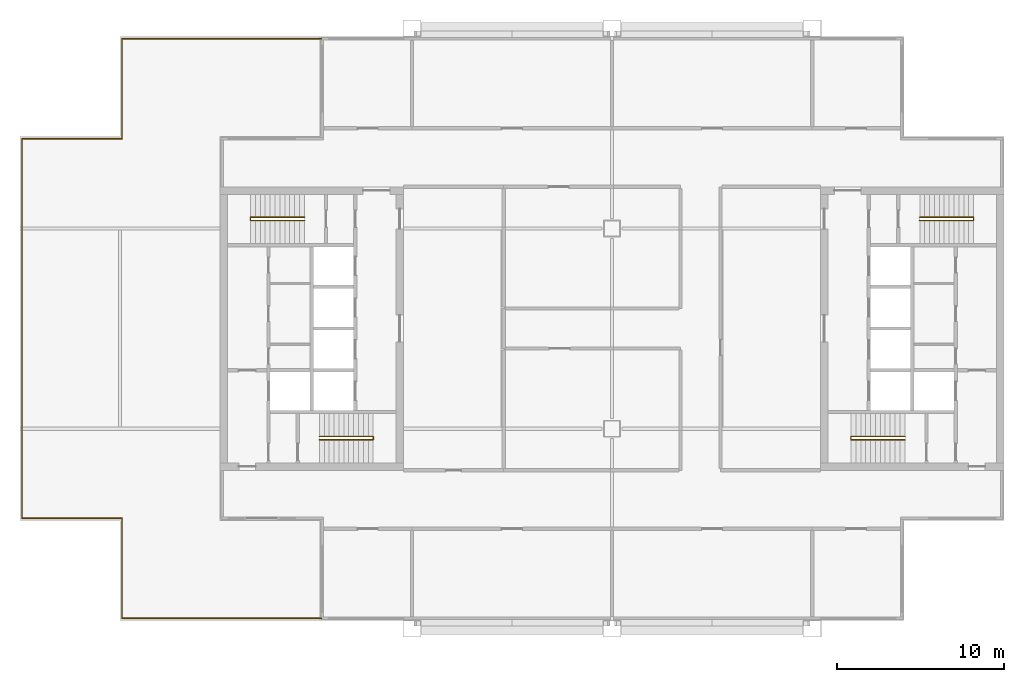
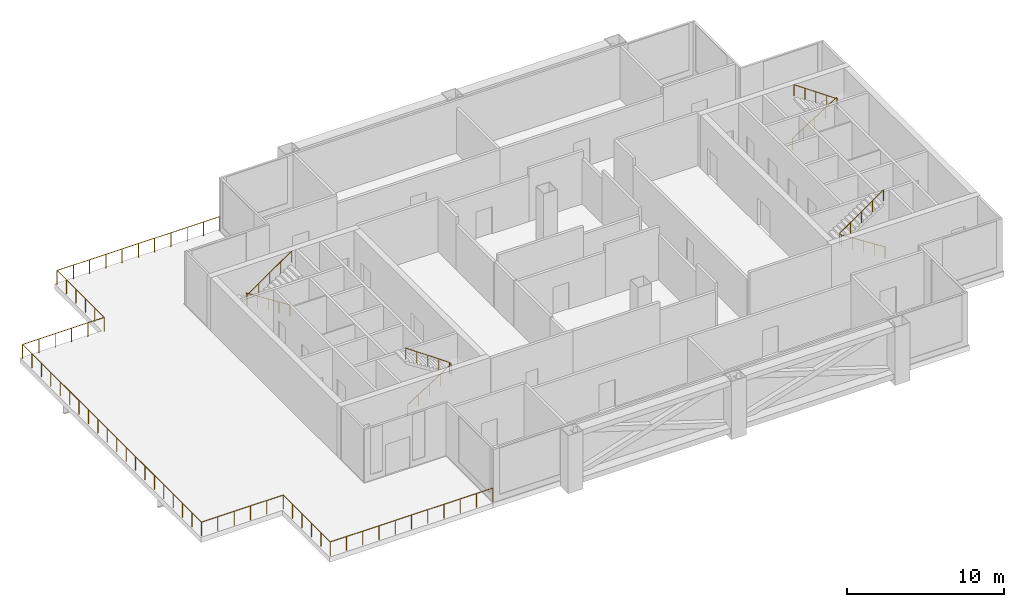
# One storey, part 6 of 6: 5 railings.
"""IFC4 building model written with IfcOpenShell, lengths in metres."""

from ifc_helpers import new_model, si_unit, direction, frame, origin, origin_2d, place, context, subcontext, project, spatial, circle, extrude, material, type_object, element, save


model = new_model("IFC4")

# Units and contexts
model_context = context("Model", 3, precision=1e-05, world=origin(), true_north=direction((0.0, 1.0)))
body_context = subcontext(model_context, "Body", "Model", "MODEL_VIEW")
ifc_project = project(units=[si_unit("LENGTHUNIT", "METRE"), si_unit("AREAUNIT", "SQUARE_METRE"), si_unit("VOLUMEUNIT", "CUBIC_METRE"), si_unit("PLANEANGLEUNIT", "RADIAN"), si_unit("MASSUNIT", "GRAM", prefix="KILO")], contexts=[model_context])

# Site, building, storey
site_placement = place(None, origin())
site = spatial("IfcSite", under=ifc_project, at=site_placement, CompositionType="ELEMENT")
building_placement = place(site_placement, origin())
building = spatial("IfcBuilding", under=site, at=building_placement, Name="Kitamizu Gate Tower and Museum", CompositionType="ELEMENT")
storey_placement = place(building_placement, frame((0.0, 0.0, 213.449951171875)))
storey = spatial("IfcBuildingStorey", under=building, at=storey_placement, Name="L57", CompositionType="ELEMENT", Elevation=213.449951171875)

# Railings
ifc_material_1 = material(Name="Stainless steel SUS304 with toughened glass infill", Category="steel")
railing_type_1 = type_object("IfcRailingType", Name="GUARD 1100", PredefinedType="GUARDRAIL", material=ifc_material_1)
railing_1_placement = place(storey_placement, frame((18.56005859375, 12.6201171875, 0.0)))
element("IfcRailing", 1, at=railing_1_placement, inside=storey, type_object=railing_type_1, Name="Guard L57 terrace 1", PredefinedType="GUARDRAIL", context=body_context, shape_type="SweptSolid", body=[
    extrude(circle(Radius=0.02490234375, at=origin_2d()), frame((0.0, 0.0, 1.0751953125), z_axis=(-1.0, 0.0, 0.0), x_axis=(0.0, -1.0, 0.0)), (0.0, 0.0, 1.0), 11.93994140625),
    extrude(circle(Radius=0.02490234375, at=origin_2d()), frame((-11.93994140625, 0.0, 1.0751953125), z_axis=(0.0, 1.0, 0.0), x_axis=(-1.0, 0.0, 0.0)), (0.0, 0.0, 1.0), 6.0),
    extrude(circle(Radius=0.02490234375, at=origin_2d()), frame((-11.93994140625, 6.0, 1.0751953125), z_axis=(-1.0, 0.0, 0.0), x_axis=(0.0, -1.0, 0.0)), (0.0, 0.0, 1.0), 6.0),
    extrude(circle(Radius=0.02490234375, at=origin_2d()), frame((-17.93994140625, 6.0, 1.0751953125), z_axis=(0.0, 1.0, 0.0), x_axis=(-1.0, 0.0, 0.0)), (0.0, 0.0, 1.0), 22.759765625),
    extrude(circle(Radius=0.02490234375, at=origin_2d()), frame((-17.93994140625, 28.759765625, 1.0751953125), z_axis=(1.0, 0.0, 0.0), x_axis=(0.0, 1.0, 0.0)), (0.0, 0.0, 1.0), 6.0),
    extrude(circle(Radius=0.02490234375, at=origin_2d()), frame((-11.93994140625, 28.759765625, 1.0751953125), z_axis=(0.0, 1.0, 0.0), x_axis=(-1.0, 0.0, 0.0)), (0.0, 0.0, 1.0), 6.0),
    extrude(circle(Radius=0.02490234375, at=origin_2d()), frame((-11.93994140625, 34.759765625, 1.0751953125), z_axis=(1.0, 0.0, 0.0), x_axis=(0.0, 1.0, 0.0)), (0.0, 0.0, 1.0), 11.93994140625),
    extrude(circle(Radius=0.02490234375, at=origin_2d()), origin(), (0.0, 0.0, 1.0), 1.050048828125),
    extrude(circle(Radius=0.02490234375, at=origin_2d()), frame((-1.194091796875, 0.0, 0.0)), (0.0, 0.0, 1.0), 1.050048828125),
    extrude(circle(Radius=0.02490234375, at=origin_2d()), frame((-2.387939453125, 0.0, 0.0)), (0.0, 0.0, 1.0), 1.050048828125),
    extrude(circle(Radius=0.02490234375, at=origin_2d()), frame((-3.58203125, 0.0, 0.0)), (0.0, 0.0, 1.0), 1.050048828125),
    extrude(circle(Radius=0.02490234375, at=origin_2d()), frame((-4.77587890625, 0.0, 0.0)), (0.0, 0.0, 1.0), 1.050048828125),
    extrude(circle(Radius=0.02490234375, at=origin_2d()), frame((-5.969970703125, 0.0, 0.0)), (0.0, 0.0, 1.0), 1.050048828125),
    extrude(circle(Radius=0.02490234375, at=origin_2d()), frame((-7.1640625, 0.0, 0.0)), (0.0, 0.0, 1.0), 1.050048828125),
    extrude(circle(Radius=0.02490234375, at=origin_2d()), frame((-8.35791015625, 0.0, 0.0)), (0.0, 0.0, 1.0), 1.050048828125),
    extrude(circle(Radius=0.02490234375, at=origin_2d()), frame((-9.552001953125, 0.0, 0.0)), (0.0, 0.0, 1.0), 1.050048828125),
    extrude(circle(Radius=0.02490234375, at=origin_2d()), frame((-10.745849609375, 0.0, 0.0)), (0.0, 0.0, 1.0), 1.050048828125),
    extrude(circle(Radius=0.02490234375, at=origin_2d()), frame((-11.93994140625, 0.0, 0.0)), (0.0, 0.0, 1.0), 1.050048828125),
    extrude(circle(Radius=0.02490234375, at=origin_2d()), frame((-11.93994140625, 1.199951171875, 0.0)), (0.0, 0.0, 1.0), 1.050048828125),
    extrude(circle(Radius=0.02490234375, at=origin_2d()), frame((-11.93994140625, 2.39990234375, 0.0)), (0.0, 0.0, 1.0), 1.050048828125),
    extrude(circle(Radius=0.02490234375, at=origin_2d()), frame((-11.93994140625, 3.60009765625, 0.0)), (0.0, 0.0, 1.0), 1.050048828125),
    extrude(circle(Radius=0.02490234375, at=origin_2d()), frame((-11.93994140625, 4.800048828125, 0.0)), (0.0, 0.0, 1.0), 1.050048828125),
    extrude(circle(Radius=0.02490234375, at=origin_2d()), frame((-11.93994140625, 6.0, 0.0)), (0.0, 0.0, 1.0), 1.050048828125),
    extrude(circle(Radius=0.02490234375, at=origin_2d()), frame((-13.139892578125, 6.0, 0.0)), (0.0, 0.0, 1.0), 1.050048828125),
    extrude(circle(Radius=0.02490234375, at=origin_2d()), frame((-14.33984375, 6.0, 0.0)), (0.0, 0.0, 1.0), 1.050048828125),
    extrude(circle(Radius=0.02490234375, at=origin_2d()), frame((-15.5400390625, 6.0, 0.0)), (0.0, 0.0, 1.0), 1.050048828125),
    extrude(circle(Radius=0.02490234375, at=origin_2d()), frame((-16.739990234375, 6.0, 0.0)), (0.0, 0.0, 1.0), 1.050048828125),
    extrude(circle(Radius=0.02490234375, at=origin_2d()), frame((-17.93994140625, 6.0, 0.0)), (0.0, 0.0, 1.0), 1.050048828125),
    extrude(circle(Radius=0.02490234375, at=origin_2d()), frame((-17.93994140625, 7.197998046875, 0.0)), (0.0, 0.0, 1.0), 1.050048828125),
    extrude(circle(Radius=0.02490234375, at=origin_2d()), frame((-17.93994140625, 8.395751953125, 0.0)), (0.0, 0.0, 1.0), 1.050048828125),
    extrude(circle(Radius=0.02490234375, at=origin_2d()), frame((-17.93994140625, 9.59375, 0.0)), (0.0, 0.0, 1.0), 1.050048828125),
    extrude(circle(Radius=0.02490234375, at=origin_2d()), frame((-17.93994140625, 10.79150390625, 0.0)), (0.0, 0.0, 1.0), 1.050048828125),
    extrude(circle(Radius=0.02490234375, at=origin_2d()), frame((-17.93994140625, 11.989501953125, 0.0)), (0.0, 0.0, 1.0), 1.050048828125),
    extrude(circle(Radius=0.02490234375, at=origin_2d()), frame((-17.93994140625, 13.187255859375, 0.0)), (0.0, 0.0, 1.0), 1.050048828125),
    extrude(circle(Radius=0.02490234375, at=origin_2d()), frame((-17.93994140625, 14.38525390625, 0.0)), (0.0, 0.0, 1.0), 1.050048828125),
    extrude(circle(Radius=0.02490234375, at=origin_2d()), frame((-17.93994140625, 15.5830078125, 0.0)), (0.0, 0.0, 1.0), 1.050048828125),
    extrude(circle(Radius=0.02490234375, at=origin_2d()), frame((-17.93994140625, 16.781005859375, 0.0)), (0.0, 0.0, 1.0), 1.050048828125),
    extrude(circle(Radius=0.02490234375, at=origin_2d()), frame((-17.93994140625, 17.978759765625, 0.0)), (0.0, 0.0, 1.0), 1.050048828125),
    extrude(circle(Radius=0.02490234375, at=origin_2d()), frame((-17.93994140625, 19.1767578125, 0.0)), (0.0, 0.0, 1.0), 1.050048828125),
    extrude(circle(Radius=0.02490234375, at=origin_2d()), frame((-17.93994140625, 20.37451171875, 0.0)), (0.0, 0.0, 1.0), 1.050048828125),
    extrude(circle(Radius=0.02490234375, at=origin_2d()), frame((-17.93994140625, 21.572509765625, 0.0)), (0.0, 0.0, 1.0), 1.050048828125),
    extrude(circle(Radius=0.02490234375, at=origin_2d()), frame((-17.93994140625, 22.770263671875, 0.0)), (0.0, 0.0, 1.0), 1.050048828125),
    extrude(circle(Radius=0.02490234375, at=origin_2d()), frame((-17.93994140625, 23.96826171875, 0.0)), (0.0, 0.0, 1.0), 1.050048828125),
    extrude(circle(Radius=0.02490234375, at=origin_2d()), frame((-17.93994140625, 25.166015625, 0.0)), (0.0, 0.0, 1.0), 1.050048828125),
    extrude(circle(Radius=0.02490234375, at=origin_2d()), frame((-17.93994140625, 26.364013671875, 0.0)), (0.0, 0.0, 1.0), 1.050048828125),
    extrude(circle(Radius=0.02490234375, at=origin_2d()), frame((-17.93994140625, 27.561767578125, 0.0)), (0.0, 0.0, 1.0), 1.050048828125),
    extrude(circle(Radius=0.02490234375, at=origin_2d()), frame((-17.93994140625, 28.759765625, 0.0)), (0.0, 0.0, 1.0), 1.050048828125),
    extrude(circle(Radius=0.02490234375, at=origin_2d()), frame((-16.739990234375, 28.759765625, 0.0)), (0.0, 0.0, 1.0), 1.050048828125),
    extrude(circle(Radius=0.02490234375, at=origin_2d()), frame((-15.5400390625, 28.759765625, 0.0)), (0.0, 0.0, 1.0), 1.050048828125),
    extrude(circle(Radius=0.02490234375, at=origin_2d()), frame((-14.33984375, 28.759765625, 0.0)), (0.0, 0.0, 1.0), 1.050048828125),
    extrude(circle(Radius=0.02490234375, at=origin_2d()), frame((-13.139892578125, 28.759765625, 0.0)), (0.0, 0.0, 1.0), 1.050048828125),
    extrude(circle(Radius=0.02490234375, at=origin_2d()), frame((-11.93994140625, 28.759765625, 0.0)), (0.0, 0.0, 1.0), 1.050048828125),
    extrude(circle(Radius=0.02490234375, at=origin_2d()), frame((-11.93994140625, 29.959716796875, 0.0)), (0.0, 0.0, 1.0), 1.050048828125),
    extrude(circle(Radius=0.02490234375, at=origin_2d()), frame((-11.93994140625, 31.15966796875, 0.0)), (0.0, 0.0, 1.0), 1.050048828125),
    extrude(circle(Radius=0.02490234375, at=origin_2d()), frame((-11.93994140625, 32.35986328125, 0.0)), (0.0, 0.0, 1.0), 1.050048828125),
    extrude(circle(Radius=0.02490234375, at=origin_2d()), frame((-11.93994140625, 33.559814453125, 0.0)), (0.0, 0.0, 1.0), 1.050048828125),
    extrude(circle(Radius=0.02490234375, at=origin_2d()), frame((-11.93994140625, 34.759765625, 0.0)), (0.0, 0.0, 1.0), 1.050048828125),
    extrude(circle(Radius=0.02490234375, at=origin_2d()), frame((-10.745849609375, 34.759765625, 0.0)), (0.0, 0.0, 1.0), 1.050048828125),
    extrude(circle(Radius=0.02490234375, at=origin_2d()), frame((-9.552001953125, 34.759765625, 0.0)), (0.0, 0.0, 1.0), 1.050048828125),
    extrude(circle(Radius=0.02490234375, at=origin_2d()), frame((-8.35791015625, 34.759765625, 0.0)), (0.0, 0.0, 1.0), 1.050048828125),
    extrude(circle(Radius=0.02490234375, at=origin_2d()), frame((-7.1640625, 34.759765625, 0.0)), (0.0, 0.0, 1.0), 1.050048828125),
    extrude(circle(Radius=0.02490234375, at=origin_2d()), frame((-5.969970703125, 34.759765625, 0.0)), (0.0, 0.0, 1.0), 1.050048828125),
    extrude(circle(Radius=0.02490234375, at=origin_2d()), frame((-4.77587890625, 34.759765625, 0.0)), (0.0, 0.0, 1.0), 1.050048828125),
    extrude(circle(Radius=0.02490234375, at=origin_2d()), frame((-3.58203125, 34.759765625, 0.0)), (0.0, 0.0, 1.0), 1.050048828125),
    extrude(circle(Radius=0.02490234375, at=origin_2d()), frame((-2.387939453125, 34.759765625, 0.0)), (0.0, 0.0, 1.0), 1.050048828125),
    extrude(circle(Radius=0.02490234375, at=origin_2d()), frame((-1.194091796875, 34.759765625, 0.0)), (0.0, 0.0, 1.0), 1.050048828125),
    extrude(circle(Radius=0.02490234375, at=origin_2d()), frame((0.0, 34.759765625, 0.0)), (0.0, 0.0, 1.0), 1.050048828125),
])
ifc_material_2 = material(Name="Stainless steel SUS304", Category="steel")
railing_type_2 = type_object("IfcRailingType", Name="Stair handrail 900", PredefinedType="HANDRAIL", material=ifc_material_2)
railing_2_placement = place(storey_placement, frame((18.449951171875, 23.324951171875, 0.1875)))
element("IfcRailing", 2, at=railing_2_placement, inside=storey, type_object=railing_type_2, Name="Stair handrail ST1", PredefinedType="HANDRAIL", context=body_context, shape_type="SweptSolid", body=[
    extrude(circle(Radius=0.02392578125, at=origin_2d()), frame((0.0, 0.0, 0.8759765625), z_axis=(0.842456665138, 0.0, 0.538764111059), x_axis=(0.0, 1.0, 0.0)), (0.0, 0.0, 1.0), 3.828125),
    extrude(circle(Radius=0.02392578125, at=origin_2d()), frame((3.22509765625, 0.0, 2.9384765625), z_axis=(0.0, 1.0, 0.0), x_axis=(-1.0, 0.0, 0.0)), (0.0, 0.0, 1.0), 0.199951171875),
    extrude(circle(Radius=0.02392578125, at=origin_2d()), frame((3.22509765625, 0.199951171875, 2.9384765625), z_axis=(-0.820135084589, 0.0, 0.572169942435), x_axis=(0.0, -1.0, 0.0)), (0.0, 0.0, 1.0), 3.932373046875),
    extrude(circle(Radius=0.02099609375, at=origin_2d()), origin(), (0.0, 0.0, 1.0), 0.851806640625),
    extrude(circle(Radius=0.02099609375, at=origin_2d()), frame((0.80615234375, 0.0, 0.515625)), (0.0, 0.0, 1.0), 0.851806640625),
    extrude(circle(Radius=0.02099609375, at=origin_2d()), frame((1.612548828125, 0.0, 1.03125)), (0.0, 0.0, 1.0), 0.851806640625),
    extrude(circle(Radius=0.02099609375, at=origin_2d()), frame((2.4189453125, 0.0, 1.546875)), (0.0, 0.0, 1.0), 0.851806640625),
    extrude(circle(Radius=0.02099609375, at=origin_2d()), frame((3.22509765625, 0.0, 2.0625)), (0.0, 0.0, 1.0), 0.851806640625),
    extrude(circle(Radius=0.02099609375, at=origin_2d()), frame((3.22509765625, 0.199951171875, 2.0625)), (0.0, 0.0, 1.0), 0.851806640625),
    extrude(circle(Radius=0.02099609375, at=origin_2d()), frame((2.4189453125, 0.199951171875, 2.625)), (0.0, 0.0, 1.0), 0.851806640625),
    extrude(circle(Radius=0.02099609375, at=origin_2d()), frame((1.612548828125, 0.199951171875, 3.1875)), (0.0, 0.0, 1.0), 0.851806640625),
    extrude(circle(Radius=0.02099609375, at=origin_2d()), frame((0.80615234375, 0.199951171875, 3.75)), (0.0, 0.0, 1.0), 0.851806640625),
    extrude(circle(Radius=0.02099609375, at=origin_2d()), frame((0.0, 0.199951171875, 4.3125)), (0.0, 0.0, 1.0), 0.851806640625),
])
railing_3_placement = place(storey_placement, frame((17.550048828125, 36.675048828125, 0.1875)))
element("IfcRailing", 3, at=railing_3_placement, inside=storey, type_object=railing_type_2, Name="Stair handrail ST2", PredefinedType="HANDRAIL", context=body_context, shape_type="SweptSolid", body=[
    extrude(circle(Radius=0.02392578125, at=origin_2d()), frame((0.0, 0.0, 0.8759765625), z_axis=(-0.842456665138, 0.0, 0.538764111059), x_axis=(0.0, -1.0, 0.0)), (0.0, 0.0, 1.0), 3.828125),
    extrude(circle(Radius=0.02392578125, at=origin_2d()), frame((-3.22509765625, 0.0, 2.9384765625), z_axis=(0.0, -1.0, 0.0), x_axis=(1.0, 0.0, 0.0)), (0.0, 0.0, 1.0), 0.199951171875),
    extrude(circle(Radius=0.02392578125, at=origin_2d()), frame((-3.22509765625, -0.199951171875, 2.9384765625), z_axis=(0.820135084589, 0.0, 0.572169942435), x_axis=(0.0, 1.0, 0.0)), (0.0, 0.0, 1.0), 3.932373046875),
    extrude(circle(Radius=0.02099609375, at=origin_2d()), origin(), (0.0, 0.0, 1.0), 0.851806640625),
    extrude(circle(Radius=0.02099609375, at=origin_2d()), frame((-0.80615234375, 0.0, 0.515625)), (0.0, 0.0, 1.0), 0.851806640625),
    extrude(circle(Radius=0.02099609375, at=origin_2d()), frame((-1.612548828125, 0.0, 1.03125)), (0.0, 0.0, 1.0), 0.851806640625),
    extrude(circle(Radius=0.02099609375, at=origin_2d()), frame((-2.4189453125, 0.0, 1.546875)), (0.0, 0.0, 1.0), 0.851806640625),
    extrude(circle(Radius=0.02099609375, at=origin_2d()), frame((-3.22509765625, 0.0, 2.0625)), (0.0, 0.0, 1.0), 0.851806640625),
    extrude(circle(Radius=0.02099609375, at=origin_2d()), frame((-3.22509765625, -0.199951171875, 2.0625)), (0.0, 0.0, 1.0), 0.851806640625),
    extrude(circle(Radius=0.02099609375, at=origin_2d()), frame((-2.4189453125, -0.199951171875, 2.625)), (0.0, 0.0, 1.0), 0.851806640625),
    extrude(circle(Radius=0.02099609375, at=origin_2d()), frame((-1.612548828125, -0.199951171875, 3.1875)), (0.0, 0.0, 1.0), 0.851806640625),
    extrude(circle(Radius=0.02099609375, at=origin_2d()), frame((-0.80615234375, -0.199951171875, 3.75)), (0.0, 0.0, 1.0), 0.851806640625),
    extrude(circle(Radius=0.02099609375, at=origin_2d()), frame((0.0, -0.199951171875, 4.3125)), (0.0, 0.0, 1.0), 0.851806640625),
])
railing_4_placement = place(storey_placement, frame((53.550048828125, 23.324951171875, 0.1875)))
element("IfcRailing", 4, at=railing_4_placement, inside=storey, type_object=railing_type_2, Name="Stair handrail ST3", PredefinedType="HANDRAIL", context=body_context, shape_type="SweptSolid", body=[
    extrude(circle(Radius=0.02392578125, at=origin_2d()), frame((0.0, 0.0, 0.8759765625), z_axis=(-0.842456665138, 0.0, 0.538764111059), x_axis=(0.0, -1.0, 0.0)), (0.0, 0.0, 1.0), 3.828125),
    extrude(circle(Radius=0.02392578125, at=origin_2d()), frame((-3.22509765625, 0.0, 2.9384765625), z_axis=(0.0, 1.0, 0.0), x_axis=(-1.0, 0.0, 0.0)), (0.0, 0.0, 1.0), 0.199951171875),
    extrude(circle(Radius=0.02392578125, at=origin_2d()), frame((-3.22509765625, 0.199951171875, 2.9384765625), z_axis=(0.820135084589, 0.0, 0.572169942435), x_axis=(0.0, 1.0, 0.0)), (0.0, 0.0, 1.0), 3.932373046875),
    extrude(circle(Radius=0.02099609375, at=origin_2d()), origin(), (0.0, 0.0, 1.0), 0.851806640625),
    extrude(circle(Radius=0.02099609375, at=origin_2d()), frame((-0.80615234375, 0.0, 0.515625)), (0.0, 0.0, 1.0), 0.851806640625),
    extrude(circle(Radius=0.02099609375, at=origin_2d()), frame((-1.612548828125, 0.0, 1.03125)), (0.0, 0.0, 1.0), 0.851806640625),
    extrude(circle(Radius=0.02099609375, at=origin_2d()), frame((-2.4189453125, 0.0, 1.546875)), (0.0, 0.0, 1.0), 0.851806640625),
    extrude(circle(Radius=0.02099609375, at=origin_2d()), frame((-3.22509765625, 0.0, 2.0625)), (0.0, 0.0, 1.0), 0.851806640625),
    extrude(circle(Radius=0.02099609375, at=origin_2d()), frame((-3.22509765625, 0.199951171875, 2.0625)), (0.0, 0.0, 1.0), 0.851806640625),
    extrude(circle(Radius=0.02099609375, at=origin_2d()), frame((-2.4189453125, 0.199951171875, 2.625)), (0.0, 0.0, 1.0), 0.851806640625),
    extrude(circle(Radius=0.02099609375, at=origin_2d()), frame((-1.612548828125, 0.199951171875, 3.1875)), (0.0, 0.0, 1.0), 0.851806640625),
    extrude(circle(Radius=0.02099609375, at=origin_2d()), frame((-0.80615234375, 0.199951171875, 3.75)), (0.0, 0.0, 1.0), 0.851806640625),
    extrude(circle(Radius=0.02099609375, at=origin_2d()), frame((0.0, 0.199951171875, 4.3125)), (0.0, 0.0, 1.0), 0.851806640625),
])
railing_5_placement = place(storey_placement, frame((54.449951171875, 36.675048828125, 0.1875)))
element("IfcRailing", 5, at=railing_5_placement, inside=storey, type_object=railing_type_2, Name="Stair handrail ST4", PredefinedType="HANDRAIL", context=body_context, shape_type="SweptSolid", body=[
    extrude(circle(Radius=0.02392578125, at=origin_2d()), frame((0.0, 0.0, 0.8759765625), z_axis=(0.842456665138, 0.0, 0.538764111059), x_axis=(0.0, 1.0, 0.0)), (0.0, 0.0, 1.0), 3.828125),
    extrude(circle(Radius=0.02392578125, at=origin_2d()), frame((3.22509765625, 0.0, 2.9384765625), z_axis=(0.0, -1.0, 0.0), x_axis=(1.0, 0.0, 0.0)), (0.0, 0.0, 1.0), 0.199951171875),
    extrude(circle(Radius=0.02392578125, at=origin_2d()), frame((3.22509765625, -0.199951171875, 2.9384765625), z_axis=(-0.820135084589, 0.0, 0.572169942435), x_axis=(0.0, -1.0, 0.0)), (0.0, 0.0, 1.0), 3.932373046875),
    extrude(circle(Radius=0.02099609375, at=origin_2d()), origin(), (0.0, 0.0, 1.0), 0.851806640625),
    extrude(circle(Radius=0.02099609375, at=origin_2d()), frame((0.80615234375, 0.0, 0.515625)), (0.0, 0.0, 1.0), 0.851806640625),
    extrude(circle(Radius=0.02099609375, at=origin_2d()), frame((1.612548828125, 0.0, 1.03125)), (0.0, 0.0, 1.0), 0.851806640625),
    extrude(circle(Radius=0.02099609375, at=origin_2d()), frame((2.4189453125, 0.0, 1.546875)), (0.0, 0.0, 1.0), 0.851806640625),
    extrude(circle(Radius=0.02099609375, at=origin_2d()), frame((3.22509765625, 0.0, 2.0625)), (0.0, 0.0, 1.0), 0.851806640625),
    extrude(circle(Radius=0.02099609375, at=origin_2d()), frame((3.22509765625, -0.199951171875, 2.0625)), (0.0, 0.0, 1.0), 0.851806640625),
    extrude(circle(Radius=0.02099609375, at=origin_2d()), frame((2.4189453125, -0.199951171875, 2.625)), (0.0, 0.0, 1.0), 0.851806640625),
    extrude(circle(Radius=0.02099609375, at=origin_2d()), frame((1.612548828125, -0.199951171875, 3.1875)), (0.0, 0.0, 1.0), 0.851806640625),
    extrude(circle(Radius=0.02099609375, at=origin_2d()), frame((0.80615234375, -0.199951171875, 3.75)), (0.0, 0.0, 1.0), 0.851806640625),
    extrude(circle(Radius=0.02099609375, at=origin_2d()), frame((0.0, -0.199951171875, 4.3125)), (0.0, 0.0, 1.0), 0.851806640625),
])

save(model, "model.ifc")
